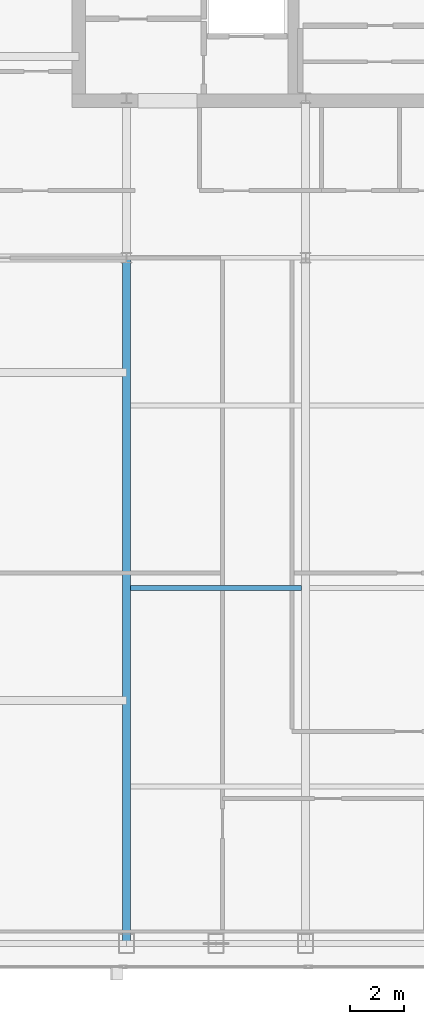
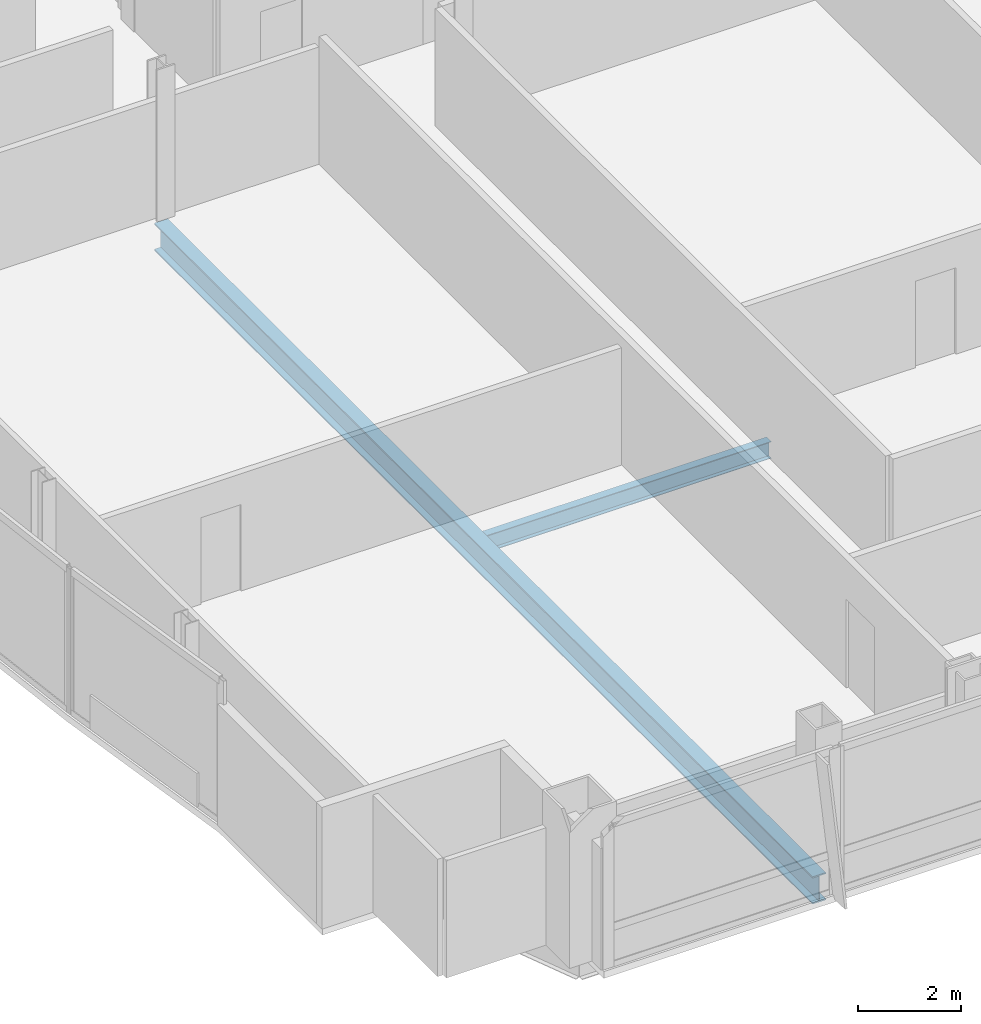
# One storey, part 7 of 30: 2 beams.
"""IFC4 building model written with IfcOpenShell, lengths in metres."""

from ifc_helpers import new_model, si_unit, direction, frame, origin, origin_2d, place, context, subcontext, project, spatial, i_section, extrude, material, material_profile, profile_set, type_object, element, save


model = new_model("IFC4")

# Units and contexts
model_context = context("Model", 3, precision=1e-05, world=origin(), true_north=direction((0.0, 1.0)))
body_context = subcontext(model_context, "Body", "Model", "MODEL_VIEW")
ifc_project = project(units=[si_unit("LENGTHUNIT", "METRE"), si_unit("AREAUNIT", "SQUARE_METRE"), si_unit("VOLUMEUNIT", "CUBIC_METRE"), si_unit("PLANEANGLEUNIT", "RADIAN"), si_unit("MASSUNIT", "GRAM", prefix="KILO")], contexts=[model_context])

# Site, building, storey
site_placement = place(None, origin())
site = spatial("IfcSite", under=ifc_project, at=site_placement, CompositionType="ELEMENT")
building_placement = place(site_placement, origin())
building = spatial("IfcBuilding", under=site, at=building_placement, Name="Khoronbel Lancet Exchange", CompositionType="ELEMENT")
storey_placement = place(building_placement, frame((0.0, 0.0, 280.60009765625)))
storey = spatial("IfcBuildingStorey", under=building, at=storey_placement, Name="L72", CompositionType="ELEMENT", Elevation=280.60009765625)

# Beams
ifc_material = material(Name="Steel S355", Category="steel")
ifc_material_profile_1 = material_profile(ifc_material, i_section(OverallWidth=0.300048828125, OverallDepth=0.64990234375, WebThickness=0.01611328125, FlangeThickness=0.031005859375, at=origin_2d()), Name="HEB 650")
ifc_profile_set_1 = profile_set([ifc_material_profile_1], Name="Steel S355")
beam_type_1 = type_object("IfcBeamType", Name="BM-BG4", PredefinedType="BEAM", material=ifc_profile_set_1)
beam_1_placement = place(storey_placement, frame((18.22509765625, 10.14990234375, -0.485107421875), z_axis=(0.0, 1.0, 0.0), x_axis=(-1.0, 0.0, 0.0)))
element("IfcBeam", 1, at=beam_1_placement, inside=storey, type_object=beam_type_1, Name="Level L72 south primary girder GS1", PredefinedType="BEAM", context=body_context, shape_type="SweptSolid", body=[
    extrude(i_section(OverallWidth=0.300048828125, OverallDepth=0.64990234375, WebThickness=0.01611328125, FlangeThickness=0.031005859375, at=origin_2d()), origin(), (0.0, 0.0, 1.0), 25.550048828125),
])
ifc_material_profile_2 = material_profile(ifc_material, i_section(OverallWidth=0.179931640625, OverallDepth=0.39990234375, WebThickness=0.008544921875, FlangeThickness=0.013427734375, at=origin_2d()), Name="IPE 400")
ifc_profile_set_2 = profile_set([ifc_material_profile_2], Name="Steel S355")
beam_type_2 = type_object("IfcBeamType", Name="BM-BJ5", PredefinedType="JOIST", material=ifc_profile_set_2)
beam_2_placement = place(storey_placement, frame((18.375, 23.39990234375, -0.360107421875), z_axis=(1.0, 0.0, 0.0), x_axis=(0.0, 1.0, 0.0)))
element("IfcBeam", 2, at=beam_2_placement, inside=storey, type_object=beam_type_2, Name="Level L72 secondary composite joist J06", PredefinedType="JOIST", context=body_context, shape_type="SweptSolid", body=[
    extrude(i_section(OverallWidth=0.179931640625, OverallDepth=0.39990234375, WebThickness=0.008544921875, FlangeThickness=0.013427734375, at=origin_2d()), origin(), (0.0, 0.0, 1.0), 6.375),
])

save(model, "model.ifc")
